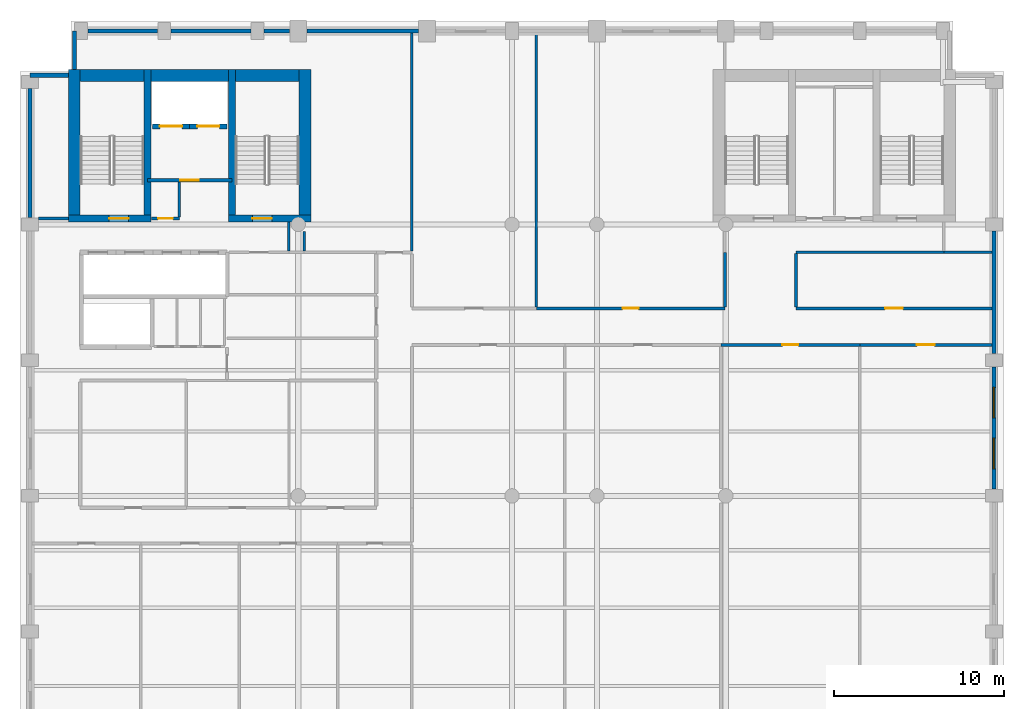
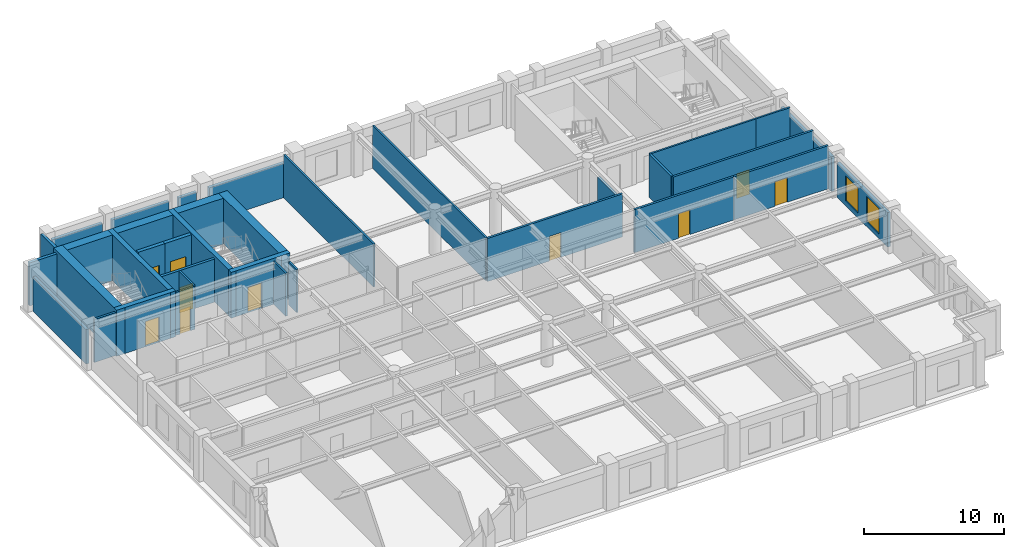
# One storey, part 5 of 8: 34 walls, 10 doors, 2 windows, 12 openings.
"""IFC4 building model written with IfcOpenShell, lengths in metres."""

from ifc_helpers import new_model, si_unit, direction, frame, frame_2d, origin, place, context, subcontext, project, spatial, rectangle, extrude, material, layer, layer_set, type_object, element, fill, save


model = new_model("IFC4")

# Units and contexts
model_context = context("Model", 3, precision=1e-05, world=origin(), true_north=direction((0.0, 1.0)))
body_context = subcontext(model_context, "Body", "Model", "MODEL_VIEW")
ifc_project = project(units=[si_unit("LENGTHUNIT", "METRE"), si_unit("AREAUNIT", "SQUARE_METRE"), si_unit("VOLUMEUNIT", "CUBIC_METRE"), si_unit("PLANEANGLEUNIT", "RADIAN"), si_unit("MASSUNIT", "GRAM", prefix="KILO")], contexts=[model_context])

# Site, building, storey
site_placement = place(None, origin())
site = spatial("IfcSite", under=ifc_project, at=site_placement, CompositionType="ELEMENT")
building_placement = place(site_placement, origin())
building = spatial("IfcBuilding", under=site, at=building_placement, Name="Sulina Concourse Tower", CompositionType="ELEMENT")
storey_placement = place(building_placement, frame((0.0, 0.0, 256.60009765625)))
storey = spatial("IfcBuildingStorey", under=building, at=storey_placement, Name="L62", CompositionType="ELEMENT", Elevation=256.60009765625)

# Wall, opening, door
ifc_material_1 = material(Name="Concrete C50/60", Category="concrete")
ifc_layer_1 = layer(ifc_material_1, 0.300048828125)
ifc_layer_set_1 = layer_set([ifc_layer_1], Name="Concrete C50/60")
wall_type_1 = type_object("IfcWallType", Name="Core Lift Hoistway Wall 300mm", PredefinedType="SOLIDWALL", material=ifc_layer_set_1)
wall_1_placement = place(storey_placement, frame((10.0, 39.780029296875, 0.0), z_axis=(0.0, 0.0, 1.0), x_axis=(-1.0, 0.0, 0.0)))
wall_1 = element("IfcWall", 1, at=wall_1_placement, inside=storey, type_object=wall_type_1, Name="L62 hoistway enclosure wall FFL-1", PredefinedType="SOLIDWALL", context=body_context, shape_type="SweptSolid", body=[
    extrude(rectangle(XDim=2.199951171875, YDim=0.300048828125, at=frame_2d((1.10009765625, 0.0))), origin(), (0.0, 0.0, 1.0), 4.0),
])
opening_1_placement = place(wall_1_placement, frame((0.449951171875, 0.0, 0.0)))
opening_1 = element("IfcOpeningElement", 2, at=opening_1_placement, cuts=wall_1, Name="Opening LD-02", PredefinedType="OPENING", context=body_context, shape_type="SweptSolid", body=[
    extrude(rectangle(XDim=1.300048828125, YDim=2.25, at=frame_2d((0.64990234375, 1.125))), frame((0.0, 0.159912109375, 0.0), z_axis=(0.0, -1.0, 0.0), x_axis=(1.0, 0.0, 0.0)), (0.0, 0.0, 1.0), 0.320068359375),
])
ifc_material_2 = material(Name="Stainless steel lift landing door", Category="steel")
ifc_layer_2 = layer(ifc_material_2, 0.050048828125)
ifc_layer_set_2 = layer_set([ifc_layer_2], Name="Stainless steel lift landing door")
door_type_1 = type_object("IfcDoorType", Name="Firefighting Lift Sliding Landing Door 1300x2250", OperationType="SLIDING_TO_RIGHT", PredefinedType="DOOR", material=ifc_layer_set_2)
door_1_placement = place(opening_1_placement, origin())
door_1 = element("IfcDoor", 3, at=door_1_placement, inside=storey, type_object=door_type_1, Name="L62 lift landing sliding door FFL-1", OperationType="SLIDING_TO_LEFT", OverallHeight=2.25, OverallWidth=1.300048828125, PredefinedType="DOOR", context=body_context, shape_type="SweptSolid", body=[
    extrude(rectangle(XDim=1.300048828125, YDim=2.25, at=frame_2d((0.64990234375, 1.125))), frame((0.0, 0.02490234375, 0.0), z_axis=(0.0, -1.0, 0.0), x_axis=(1.0, 0.0, 0.0)), (0.0, 0.0, 1.0), 0.050048828125),
])
fill(opening_1, door_1)

wall_2_placement = place(storey_placement, frame((12.199951171875, 39.780029296875, 0.0), z_axis=(0.0, 0.0, 1.0), x_axis=(-1.0, 0.0, 0.0)))
wall_2 = element("IfcWall", 4, at=wall_2_placement, inside=storey, type_object=wall_type_1, Name="L62 hoistway enclosure wall FFL-2", PredefinedType="SOLIDWALL", context=body_context, shape_type="SweptSolid", body=[
    extrude(rectangle(XDim=2.199951171875, YDim=0.300048828125, at=frame_2d((1.10009765625, 0.0))), origin(), (0.0, 0.0, 1.0), 4.0),
])
opening_2_placement = place(wall_2_placement, frame((0.449951171875, 0.0, 0.0)))
opening_2 = element("IfcOpeningElement", 5, at=opening_2_placement, cuts=wall_2, Name="Opening LD-02", PredefinedType="OPENING", context=body_context, shape_type="SweptSolid", body=[
    extrude(rectangle(XDim=1.300048828125, YDim=2.25, at=frame_2d((0.64990234375, 1.125))), frame((0.0, 0.159912109375, 0.0), z_axis=(0.0, -1.0, 0.0), x_axis=(1.0, 0.0, 0.0)), (0.0, 0.0, 1.0), 0.320068359375),
])
door_2_placement = place(opening_2_placement, origin())
door_2 = element("IfcDoor", 6, at=door_2_placement, inside=storey, type_object=door_type_1, Name="L62 lift landing sliding door FFL-2", OperationType="SLIDING_TO_RIGHT", OverallHeight=2.25, OverallWidth=1.300048828125, PredefinedType="DOOR", context=body_context, shape_type="SweptSolid", body=[
    extrude(rectangle(XDim=1.300048828125, YDim=2.25, at=frame_2d((0.64990234375, 1.125))), frame((0.0, 0.02490234375, 0.0), z_axis=(0.0, -1.0, 0.0), x_axis=(1.0, 0.0, 0.0)), (0.0, 0.0, 1.0), 0.050048828125),
])
fill(opening_2, door_2)

# Walls
ifc_material_3 = material(Name="Precast concrete C50/60", Category="concrete")
ifc_layer_3 = layer(ifc_material_3, 0.239990234375)
ifc_layer_set_3 = layer_set([ifc_layer_3], Name="Precast concrete C50/60")
wall_type_2 = type_object("IfcWallType", Name="Crown Precast Masonry-Frame Facade Wall 240mm", PredefinedType="SOLIDWALL", material=ifc_layer_set_3)
wall_3_placement = place(storey_placement, frame((0.60009765625, 34.39501953125, 0.0), z_axis=(0.0, 0.0, 1.0), x_axis=(0.0, 1.0, 0.0)))
element("IfcWall", 7, at=wall_3_placement, inside=storey, type_object=wall_type_2, Name="L62 exterior precast wall W5", PredefinedType="SOLIDWALL", context=body_context, shape_type="SweptSolid", body=[
    extrude(rectangle(XDim=7.60986328125, YDim=0.239990234375, at=frame_2d((3.804931640625, 0.0))), origin(), (0.0, 0.0, 1.0), 3.0),
])
wall_4_placement = place(storey_placement, frame((3.9951171875, 45.39990234375, 0.0), z_axis=(0.0, 0.0, 1.0), x_axis=(1.0, 0.0, 0.0)))
element("IfcWall", 8, at=wall_4_placement, inside=storey, type_object=wall_type_2, Name="L62 exterior precast wall N1", PredefinedType="SOLIDWALL", context=body_context, shape_type="SweptSolid", body=[
    extrude(rectangle(XDim=4.10986328125, YDim=0.239990234375, at=frame_2d((2.054931640625, 0.0))), origin(), (0.0, 0.0, 1.0), 3.0),
])
wall_5_placement = place(storey_placement, frame((8.89501953125, 45.39990234375, 0.0), z_axis=(0.0, 0.0, 1.0), x_axis=(1.0, 0.0, 0.0)))
element("IfcWall", 9, at=wall_5_placement, inside=storey, type_object=wall_type_2, Name="L62 exterior precast wall N2", PredefinedType="SOLIDWALL", context=body_context, shape_type="SweptSolid", body=[
    extrude(rectangle(XDim=4.7099609375, YDim=0.239990234375, at=frame_2d((2.35498046875, 0.0))), origin(), (0.0, 0.0, 1.0), 3.0),
])
wall_6_placement = place(storey_placement, frame((14.39501953125, 45.39990234375, 0.0), z_axis=(0.0, 0.0, 1.0), x_axis=(1.0, 0.0, 0.0)))
element("IfcWall", 10, at=wall_6_placement, inside=storey, type_object=wall_type_2, Name="L62 exterior precast wall N3", PredefinedType="SOLIDWALL", context=body_context, shape_type="SweptSolid", body=[
    extrude(rectangle(XDim=1.48486328125, YDim=0.239990234375, at=frame_2d((0.742431640625, 0.0))), origin(), (0.0, 0.0, 1.0), 3.0),
])
wall_7_placement = place(storey_placement, frame((16.919921875, 45.39990234375, 0.0), z_axis=(0.0, 0.0, 1.0), x_axis=(1.0, 0.0, 0.0)))
element("IfcWall", 11, at=wall_7_placement, inside=storey, type_object=wall_type_2, Name="L62 exterior precast wall N4", PredefinedType="SOLIDWALL", context=body_context, shape_type="SweptSolid", body=[
    extrude(rectangle(XDim=6.56005859375, YDim=0.239990234375, at=frame_2d((3.280029296875, 0.0))), origin(), (0.0, 0.0, 1.0), 3.0),
])

# Wall, openings, windows
wall_8_placement = place(storey_placement, frame((57.39990234375, 25.60498046875, 0.0), z_axis=(0.0, 0.0, 1.0), x_axis=(0.0, -1.0, 0.0)))
wall_8 = element("IfcWall", 12, at=wall_8_placement, inside=storey, type_object=wall_type_2, Name="L62 exterior precast wall E3", PredefinedType="SOLIDWALL", context=body_context, shape_type="SweptSolid", body=[
    extrude(rectangle(XDim=7.2099609375, YDim=0.239990234375, at=frame_2d((3.60498046875, 0.0))), origin(), (0.0, 0.0, 1.0), 3.0),
])
opening_3_placement = place(wall_8_placement, frame((1.203369140625, 0.0, 0.419921875)))
opening_3 = element("IfcOpeningElement", 13, at=opening_3_placement, cuts=wall_8, Name="Opening WN-25", PredefinedType="OPENING", context=body_context, shape_type="SweptSolid", body=[
    extrude(rectangle(XDim=1.800048828125, YDim=2.199951171875, at=frame_2d((0.89990234375, 1.10009765625))), frame((0.0, 0.1298828125, 0.0), z_axis=(0.0, -1.0, 0.0), x_axis=(1.0, 0.0, 0.0)), (0.0, 0.0, 1.0), 0.260009765625),
])
opening_4_placement = place(wall_8_placement, frame((4.206787109375, 0.0, 0.419921875)))
opening_4 = element("IfcOpeningElement", 14, at=opening_4_placement, cuts=wall_8, Name="Opening WN-25", PredefinedType="OPENING", context=body_context, shape_type="SweptSolid", body=[
    extrude(rectangle(XDim=1.800048828125, YDim=2.199951171875, at=frame_2d((0.89990234375, 1.10009765625))), frame((0.0, 0.1298828125, 0.0), z_axis=(0.0, -1.0, 0.0), x_axis=(1.0, 0.0, 0.0)), (0.0, 0.0, 1.0), 0.260009765625),
])
ifc_material_4 = material(Name="Low-E solar double glazing in bronze aluminium", Category="aluminium")
window_type = type_object("IfcWindowType", Name="Punched Masonry-Frame Window 1800x2200", PartitioningType="SINGLE_PANEL", PredefinedType="WINDOW", material=ifc_material_4)
window_1_placement = place(opening_3_placement, origin())
window_1 = element("IfcWindow", 15, at=window_1_placement, inside=storey, type_object=window_type, Name="L62 punched window E3-1", OverallHeight=2.199951171875, OverallWidth=1.800048828125, PartitioningType="SINGLE_PANEL", PredefinedType="WINDOW", context=body_context, shape_type="SweptSolid", body=[
    extrude(rectangle(XDim=1.800048828125, YDim=2.199951171875, at=frame_2d((0.89990234375, 1.10009765625))), frame((0.0, 0.030029296875, 0.0), z_axis=(0.0, -1.0, 0.0), x_axis=(1.0, 0.0, 0.0)), (0.0, 0.0, 1.0), 0.06005859375),
])
fill(opening_3, window_1)
window_2_placement = place(opening_4_placement, origin())
window_2 = element("IfcWindow", 16, at=window_2_placement, inside=storey, type_object=window_type, Name="L62 punched window E3-2", OverallHeight=2.199951171875, OverallWidth=1.800048828125, PartitioningType="SINGLE_PANEL", PredefinedType="WINDOW", context=body_context, shape_type="SweptSolid", body=[
    extrude(rectangle(XDim=1.800048828125, YDim=2.199951171875, at=frame_2d((0.89990234375, 1.10009765625))), frame((0.0, 0.030029296875, 0.0), z_axis=(0.0, -1.0, 0.0), x_axis=(1.0, 0.0, 0.0)), (0.0, 0.0, 1.0), 0.06005859375),
])
fill(opening_4, window_2)

# Walls
wall_9_placement = place(storey_placement, frame((57.39990234375, 33.60498046875, 0.0), z_axis=(0.0, 0.0, 1.0), x_axis=(0.0, -1.0, 0.0)))
element("IfcWall", 17, at=wall_9_placement, inside=storey, type_object=wall_type_2, Name="L62 exterior precast wall E4", PredefinedType="SOLIDWALL", context=body_context, shape_type="SweptSolid", body=[
    extrude(rectangle(XDim=7.2099609375, YDim=0.239990234375, at=frame_2d((3.60498046875, 0.0))), origin(), (0.0, 0.0, 1.0), 3.0),
])
wall_10_placement = place(storey_placement, frame((0.60009765625, 42.794921875, 0.0), z_axis=(0.0, 0.0, 1.0), x_axis=(1.0, 0.0, 0.0)))
element("IfcWall", 18, at=wall_10_placement, inside=storey, type_object=wall_type_2, Name="L62 exterior precast wall CNW1", PredefinedType="SOLIDWALL", context=body_context, shape_type="SweptSolid", body=[
    extrude(rectangle(XDim=2.244873046875, YDim=0.239990234375, at=frame_2d((1.12255859375, 0.0))), origin(), (0.0, 0.0, 1.0), 3.75),
])
wall_11_placement = place(storey_placement, frame((3.205078125, 43.135009765625, 0.0), z_axis=(0.0, 0.0, 1.0), x_axis=(0.0, 1.0, 0.0)))
element("IfcWall", 19, at=wall_11_placement, inside=storey, type_object=wall_type_2, Name="L62 exterior precast wall CNW2", PredefinedType="SOLIDWALL", context=body_context, shape_type="SweptSolid", body=[
    extrude(rectangle(XDim=2.264892578125, YDim=0.239990234375, at=frame_2d((1.13232421875, 0.0))), origin(), (0.0, 0.0, 1.0), 3.75),
])

# Wall, opening, door
ifc_material_5 = material(Name="Gypsum board on steel stud", Category="steel")
ifc_layer_4 = layer(ifc_material_5, 0.219970703125)
ifc_layer_set_4 = layer_set([ifc_layer_4], Name="Gypsum board on steel stud")
wall_type_3 = type_object("IfcWallType", Name="Fire-Rated Lobby & Compartment Wall 220mm", PredefinedType="PARTITIONING", material=ifc_layer_set_4)
wall_12_placement = place(storey_placement, frame((7.510009765625, 36.60009765625, 0.0), z_axis=(0.0, 0.0, 1.0), x_axis=(1.0, 0.0, 0.0)))
wall_12 = element("IfcWall", 20, at=wall_12_placement, inside=storey, type_object=wall_type_3, Name="L62 firefighting lobby south fire wall", PredefinedType="PARTITIONING", context=body_context, shape_type="SweptSolid", body=[
    extrude(rectangle(XDim=4.97998046875, YDim=0.219970703125, at=frame_2d((2.489990234375, 0.0))), origin(), (0.0, 0.0, 1.0), 3.75),
])
opening_5_placement = place(wall_12_placement, frame((1.93994140625, 0.0, 0.0)))
opening_5 = element("IfcOpeningElement", 21, at=opening_5_placement, cuts=wall_12, Name="Opening DR-47", PredefinedType="OPENING", context=body_context, shape_type="SweptSolid", body=[
    extrude(rectangle(XDim=1.10009765625, YDim=2.199951171875, at=frame_2d((0.550048828125, 1.10009765625))), frame((0.0, 0.119873046875, 0.0), z_axis=(0.0, -1.0, 0.0), x_axis=(1.0, 0.0, 0.0)), (0.0, 0.0, 1.0), 0.239990234375),
])
ifc_material_6 = material(Name="Galvanised steel acoustic fire leaf", Category="steel")
ifc_layer_5 = layer(ifc_material_6, 0.054931640625)
ifc_layer_set_5 = layer_set([ifc_layer_5], Name="Galvanised steel acoustic fire leaf")
door_type_2 = type_object("IfcDoorType", Name="Firefighting Lobby Fire Door 1100x2200", OperationType="NOTDEFINED", PredefinedType="DOOR", material=ifc_layer_set_5)
door_3_placement = place(opening_5_placement, origin())
door_3 = element("IfcDoor", 22, at=door_3_placement, inside=storey, type_object=door_type_2, Name="L62 firefighting lobby fire door", OperationType="SINGLE_SWING_LEFT", OverallHeight=2.199951171875, OverallWidth=1.10009765625, PredefinedType="DOOR", context=body_context, shape_type="SweptSolid", body=[
    extrude(rectangle(XDim=1.10009765625, YDim=2.199951171875, at=frame_2d((0.550048828125, 1.10009765625))), frame((0.0, 0.02490234375, 0.0), z_axis=(0.0, -1.0, 0.0), x_axis=(1.0, 0.0, 0.0)), (0.0, 0.0, 1.0), 0.050048828125),
])
fill(opening_5, door_3)

# Walls
ifc_material_7 = material(Name="Gypsum board on steel stud", Category="steel")
ifc_layer_6 = layer(ifc_material_7, 0.14990234375)
ifc_layer_set_6 = layer_set([ifc_layer_6], Name="Gypsum board on steel stud")
wall_type_4 = type_object("IfcWallType", Name="Inter-Tenancy Acoustic Partition 150mm", PredefinedType="PARTITIONING", material=ifc_layer_set_6)
wall_13_placement = place(storey_placement, frame((45.75, 32.35009765625, 0.0), z_axis=(0.0, 0.0, 1.0), x_axis=(1.0, 0.0, 0.0)))
element("IfcWall", 23, at=wall_13_placement, inside=storey, type_object=wall_type_4, Name="L62 interior partition 028", PredefinedType="PARTITIONING", context=body_context, shape_type="SweptSolid", body=[
    extrude(rectangle(XDim=8.699951171875, YDim=0.14990234375, at=frame_2d((4.35009765625, 0.0))), origin(), (0.0, 0.0, 1.0), 3.75),
])
wall_14_placement = place(storey_placement, frame((54.449951171875, 32.35009765625, 0.0), z_axis=(0.0, 0.0, 1.0), x_axis=(1.0, 0.0, 0.0)))
element("IfcWall", 24, at=wall_14_placement, inside=storey, type_object=wall_type_4, Name="L62 interior partition 029", PredefinedType="PARTITIONING", context=body_context, shape_type="SweptSolid", body=[
    extrude(rectangle(XDim=2.830078125, YDim=0.14990234375, at=frame_2d((1.4150390625, 0.0))), origin(), (0.0, 0.0, 1.0), 3.75),
])

# Wall, opening, door
wall_15_placement = place(storey_placement, frame((7.75, 34.35009765625, 0.0), z_axis=(0.0, 0.0, 1.0), x_axis=(1.0, 0.0, 0.0)))
wall_15 = element("IfcWall", 25, at=wall_15_placement, inside=storey, type_object=wall_type_4, Name="L62 interior partition 031", PredefinedType="PARTITIONING", context=body_context, shape_type="SweptSolid", body=[
    extrude(rectangle(XDim=1.64990234375, YDim=0.14990234375, at=frame_2d((0.824951171875, 0.0))), origin(), (0.0, 0.0, 1.0), 3.75),
])
opening_6_placement = place(wall_15_placement, frame((0.385009765625, 0.0, 0.0)))
opening_6 = element("IfcOpeningElement", 26, at=opening_6_placement, cuts=wall_15, Name="Opening DR-38", PredefinedType="OPENING", context=body_context, shape_type="SweptSolid", body=[
    extrude(rectangle(XDim=0.8798828125, YDim=2.10009765625, at=frame_2d((0.43994140625, 1.050048828125))), frame((0.0, 0.0849609375, 0.0), z_axis=(0.0, -1.0, 0.0), x_axis=(1.0, 0.0, 0.0)), (0.0, 0.0, 1.0), 0.169921875),
])
ifc_material_8 = material(Name="Galvanised steel acoustic fire leaf", Category="steel")
ifc_layer_7 = layer(ifc_material_8, 0.050048828125)
ifc_layer_set_7 = layer_set([ifc_layer_7], Name="Galvanised steel acoustic fire leaf")
door_type_3 = type_object("IfcDoorType", Name="Service Riser Fire Door 880x2100", OperationType="NOTDEFINED", PredefinedType="DOOR", material=ifc_layer_set_7)
door_4_placement = place(opening_6_placement, origin())
door_4 = element("IfcDoor", 27, at=door_4_placement, inside=storey, type_object=door_type_3, Name="L62 interior door L62-CLN-N", OperationType="SINGLE_SWING_RIGHT", OverallHeight=2.10009765625, OverallWidth=0.8798828125, PredefinedType="DOOR", context=body_context, shape_type="SweptSolid", body=[
    extrude(rectangle(XDim=0.8798828125, YDim=2.10009765625, at=frame_2d((0.43994140625, 1.050048828125))), frame((0.0, 0.02490234375, 0.0), z_axis=(0.0, -1.0, 0.0), x_axis=(1.0, 0.0, 0.0)), (0.0, 0.0, 1.0), 0.050048828125),
])
fill(opening_6, door_4)

# Walls
wall_16_placement = place(storey_placement, frame((9.39990234375, 34.425048828125, 0.0), z_axis=(0.0, 0.0, 1.0), x_axis=(0.0, 1.0, 0.0)))
element("IfcWall", 28, at=wall_16_placement, inside=storey, type_object=wall_type_4, Name="L62 interior partition 037", PredefinedType="PARTITIONING", context=body_context, shape_type="SweptSolid", body=[
    extrude(rectangle(XDim=2.06494140625, YDim=0.14990234375, at=frame_2d((1.032470703125, 0.0))), origin(), (0.0, 0.0, 1.0), 3.75),
])
wall_17_placement = place(storey_placement, frame((15.85009765625, 32.425048828125, 0.0), z_axis=(0.0, 0.0, 1.0), x_axis=(0.0, 1.0, 0.0)))
element("IfcWall", 29, at=wall_17_placement, inside=storey, type_object=wall_type_4, Name="L62 interior partition 044", PredefinedType="PARTITIONING", context=body_context, shape_type="SweptSolid", body=[
    extrude(rectangle(XDim=1.724853515625, YDim=0.14990234375, at=frame_2d((0.8623046875, 0.0))), origin(), (0.0, 0.0, 1.0), 3.75),
])
wall_18_placement = place(storey_placement, frame((16.75, 32.425048828125, 0.0), z_axis=(0.0, 0.0, 1.0), x_axis=(0.0, 1.0, 0.0)))
element("IfcWall", 30, at=wall_18_placement, inside=storey, type_object=wall_type_4, Name="L62 interior partition 045", PredefinedType="PARTITIONING", context=body_context, shape_type="SweptSolid", body=[
    extrude(rectangle(XDim=1.14990234375, YDim=0.14990234375, at=frame_2d((0.574951171875, 0.0))), origin(), (0.0, 0.0, 1.0), 3.75),
])
wall_19_placement = place(storey_placement, frame((23.10009765625, 32.43994140625, 0.0), z_axis=(0.0, 0.0, 1.0), x_axis=(0.0, 1.0, 0.0)))
element("IfcWall", 31, at=wall_19_placement, inside=storey, type_object=wall_type_4, Name="L62 interior partition 055", PredefinedType="PARTITIONING", context=body_context, shape_type="SweptSolid", body=[
    extrude(rectangle(XDim=12.840087890625, YDim=0.14990234375, at=frame_2d((6.419921875, 0.0))), origin(), (0.0, 0.0, 1.0), 3.75),
])
wall_20_placement = place(storey_placement, frame((30.429931640625, 29.139892578125, 0.0), z_axis=(0.0, 0.0, 1.0), x_axis=(0.0, 1.0, 0.0)))
element("IfcWall", 32, at=wall_20_placement, inside=storey, type_object=wall_type_4, Name="L62 interior partition 056", PredefinedType="PARTITIONING", context=body_context, shape_type="SweptSolid", body=[
    extrude(rectangle(XDim=16.14013671875, YDim=0.14990234375, at=frame_2d((8.070068359375, 0.0))), origin(), (0.0, 0.0, 1.0), 3.75),
])

# Wall, opening, door
ifc_material_9 = material(Name="Gypsum board on steel stud", Category="steel")
ifc_layer_8 = layer(ifc_material_9, 0.179931640625)
ifc_layer_set_8 = layer_set([ifc_layer_8], Name="Gypsum board on steel stud")
wall_type_5 = type_object("IfcWallType", Name="Protected Corridor & Riser Partition 180mm", PredefinedType="PARTITIONING", material=ifc_layer_set_8)
wall_21_placement = place(storey_placement, frame((41.320068359375, 26.89990234375, 0.0), z_axis=(0.0, 0.0, 1.0), x_axis=(1.0, 0.0, 0.0)))
wall_21 = element("IfcWall", 33, at=wall_21_placement, inside=storey, type_object=wall_type_5, Name="L62 interior partition 017", PredefinedType="PARTITIONING", context=body_context, shape_type="SweptSolid", body=[
    extrude(rectangle(XDim=8.179931640625, YDim=0.179931640625, at=frame_2d((4.08984375, 0.0))), origin(), (0.0, 0.0, 1.0), 3.75),
])
opening_7_placement = place(wall_21_placement, frame((3.614990234375, 0.0, 0.0)))
opening_7 = element("IfcOpeningElement", 34, at=opening_7_placement, cuts=wall_21, Name="Opening DR-19", PredefinedType="OPENING", context=body_context, shape_type="SweptSolid", body=[
    extrude(rectangle(XDim=0.949951171875, YDim=2.14990234375, at=frame_2d((0.47509765625, 1.074951171875))), frame((0.0, 0.099853515625, 0.0), z_axis=(0.0, -1.0, 0.0), x_axis=(1.0, 0.0, 0.0)), (0.0, 0.0, 1.0), 0.199951171875),
])
ifc_material_10 = material(Name="Oak-veneered acoustic timber leaf", Category="wood")
ifc_layer_9 = layer(ifc_material_10, 0.050048828125)
ifc_layer_set_9 = layer_set([ifc_layer_9], Name="Oak-veneered acoustic timber leaf")
door_type_4 = type_object("IfcDoorType", Name="Cellular Office & Meeting Door 950x2150", OperationType="NOTDEFINED", PredefinedType="DOOR", material=ifc_layer_set_9)
door_5_placement = place(opening_7_placement, origin())
door_5 = element("IfcDoor", 35, at=door_5_placement, inside=storey, type_object=door_type_4, Name="L62 interior door L62-S07", OperationType="SINGLE_SWING_LEFT", OverallHeight=2.14990234375, OverallWidth=0.949951171875, PredefinedType="DOOR", context=body_context, shape_type="SweptSolid", body=[
    extrude(rectangle(XDim=0.949951171875, YDim=2.14990234375, at=frame_2d((0.47509765625, 1.074951171875))), frame((0.0, 0.02490234375, 0.0), z_axis=(0.0, -1.0, 0.0), x_axis=(1.0, 0.0, 0.0)), (0.0, 0.0, 1.0), 0.050048828125),
])
fill(opening_7, door_5)

wall_22_placement = place(storey_placement, frame((49.5, 26.89990234375, 0.0), z_axis=(0.0, 0.0, 1.0), x_axis=(1.0, 0.0, 0.0)))
wall_22 = element("IfcWall", 36, at=wall_22_placement, inside=storey, type_object=wall_type_5, Name="L62 interior partition 018", PredefinedType="PARTITIONING", context=body_context, shape_type="SweptSolid", body=[
    extrude(rectangle(XDim=7.780029296875, YDim=0.179931640625, at=frame_2d((3.89013671875, 0.0))), origin(), (0.0, 0.0, 1.0), 3.75),
])
opening_8_placement = place(wall_22_placement, frame((3.364990234375, 0.0, 0.0)))
opening_8 = element("IfcOpeningElement", 37, at=opening_8_placement, cuts=wall_22, Name="Opening DR-37", PredefinedType="OPENING", context=body_context, shape_type="SweptSolid", body=[
    extrude(rectangle(XDim=1.050048828125, YDim=2.14990234375, at=frame_2d((0.52490234375, 1.074951171875))), frame((0.0, 0.099853515625, 0.0), z_axis=(0.0, -1.0, 0.0), x_axis=(1.0, 0.0, 0.0)), (0.0, 0.0, 1.0), 0.199951171875),
])
ifc_material_11 = material(Name="Oak-veneered fire door leaf")
ifc_layer_10 = layer(ifc_material_11, 0.050048828125)
ifc_layer_set_10 = layer_set([ifc_layer_10], Name="Oak-veneered fire door leaf")
door_type_5 = type_object("IfcDoorType", Name="Tenant Suite Entrance Fire Door 1050x2150", OperationType="NOTDEFINED", PredefinedType="DOOR", material=ifc_layer_set_10)
door_6_placement = place(opening_8_placement, origin())
door_6 = element("IfcDoor", 38, at=door_6_placement, inside=storey, type_object=door_type_5, Name="L62 interior door L62-S08", OperationType="SINGLE_SWING_RIGHT", OverallHeight=2.14990234375, OverallWidth=1.050048828125, PredefinedType="DOOR", context=body_context, shape_type="SweptSolid", body=[
    extrude(rectangle(XDim=1.050048828125, YDim=2.14990234375, at=frame_2d((0.52490234375, 1.074951171875))), frame((0.0, 0.02490234375, 0.0), z_axis=(0.0, -1.0, 0.0), x_axis=(1.0, 0.0, 0.0)), (0.0, 0.0, 1.0), 0.050048828125),
])
fill(opening_8, door_6)

wall_23_placement = place(storey_placement, frame((30.429931640625, 29.050048828125, 0.0), z_axis=(0.0, 0.0, 1.0), x_axis=(1.0, 0.0, 0.0)))
wall_23 = element("IfcWall", 39, at=wall_23_placement, inside=storey, type_object=wall_type_5, Name="L62 interior partition 021", PredefinedType="PARTITIONING", context=body_context, shape_type="SweptSolid", body=[
    extrude(rectangle(XDim=11.1201171875, YDim=0.179931640625, at=frame_2d((5.56005859375, 0.0))), origin(), (0.0, 0.0, 1.0), 3.75),
])
opening_9_placement = place(wall_23_placement, frame((5.0849609375, 0.0, 0.0)))
opening_9 = element("IfcOpeningElement", 40, at=opening_9_placement, cuts=wall_23, Name="Opening DR-19", PredefinedType="OPENING", context=body_context, shape_type="SweptSolid", body=[
    extrude(rectangle(XDim=0.949951171875, YDim=2.14990234375, at=frame_2d((0.47509765625, 1.074951171875))), frame((0.0, 0.099853515625, 0.0), z_axis=(0.0, -1.0, 0.0), x_axis=(1.0, 0.0, 0.0)), (0.0, 0.0, 1.0), 0.199951171875),
])
door_7_placement = place(opening_9_placement, origin())
door_7 = element("IfcDoor", 41, at=door_7_placement, inside=storey, type_object=door_type_4, Name="L62 interior door L62-NC2", OperationType="SINGLE_SWING_RIGHT", OverallHeight=2.14990234375, OverallWidth=0.949951171875, PredefinedType="DOOR", context=body_context, shape_type="SweptSolid", body=[
    extrude(rectangle(XDim=0.949951171875, YDim=2.14990234375, at=frame_2d((0.47509765625, 1.074951171875))), frame((0.0, 0.02490234375, 0.0), z_axis=(0.0, -1.0, 0.0), x_axis=(1.0, 0.0, 0.0)), (0.0, 0.0, 1.0), 0.050048828125),
])
fill(opening_9, door_7)

wall_24_placement = place(storey_placement, frame((45.75, 29.050048828125, 0.0), z_axis=(0.0, 0.0, 1.0), x_axis=(1.0, 0.0, 0.0)))
wall_24 = element("IfcWall", 42, at=wall_24_placement, inside=storey, type_object=wall_type_5, Name="L62 interior partition 022", PredefinedType="PARTITIONING", context=body_context, shape_type="SweptSolid", body=[
    extrude(rectangle(XDim=11.530029296875, YDim=0.179931640625, at=frame_2d((5.76513671875, 0.0))), origin(), (0.0, 0.0, 1.0), 3.75),
])
opening_10_placement = place(wall_24_placement, frame((5.239990234375, 0.0, 0.0)))
opening_10 = element("IfcOpeningElement", 43, at=opening_10_placement, cuts=wall_24, Name="Opening DR-37", PredefinedType="OPENING", context=body_context, shape_type="SweptSolid", body=[
    extrude(rectangle(XDim=1.050048828125, YDim=2.14990234375, at=frame_2d((0.52490234375, 1.074951171875))), frame((0.0, 0.099853515625, 0.0), z_axis=(0.0, -1.0, 0.0), x_axis=(1.0, 0.0, 0.0)), (0.0, 0.0, 1.0), 0.199951171875),
])
door_8_placement = place(opening_10_placement, origin())
door_8 = element("IfcDoor", 44, at=door_8_placement, inside=storey, type_object=door_type_5, Name="L62 interior door L62-NE1", OperationType="SINGLE_SWING_LEFT", OverallHeight=2.14990234375, OverallWidth=1.050048828125, PredefinedType="DOOR", context=body_context, shape_type="SweptSolid", body=[
    extrude(rectangle(XDim=1.050048828125, YDim=2.14990234375, at=frame_2d((0.52490234375, 1.074951171875))), frame((0.0, 0.02490234375, 0.0), z_axis=(0.0, -1.0, 0.0), x_axis=(1.0, 0.0, 0.0)), (0.0, 0.0, 1.0), 0.050048828125),
])
fill(opening_10, door_8)

# Walls
wall_25_placement = place(storey_placement, frame((1.10009765625, 34.35009765625, 0.0), z_axis=(0.0, 0.0, 1.0), x_axis=(1.0, 0.0, 0.0)))
element("IfcWall", 45, at=wall_25_placement, inside=storey, type_object=wall_type_5, Name="L62 interior partition 030", PredefinedType="PARTITIONING", context=body_context, shape_type="SweptSolid", body=[
    extrude(rectangle(XDim=1.75, YDim=0.179931640625, at=frame_2d((0.875, 0.0))), origin(), (0.0, 0.0, 1.0), 3.75),
])
wall_26_placement = place(storey_placement, frame((41.550048828125, 29.139892578125, 0.0), z_axis=(0.0, 0.0, 1.0), x_axis=(0.0, 1.0, 0.0)))
element("IfcWall", 46, at=wall_26_placement, inside=storey, type_object=wall_type_5, Name="L62 interior partition 060", PredefinedType="PARTITIONING", context=body_context, shape_type="SweptSolid", body=[
    extrude(rectangle(XDim=3.210205078125, YDim=0.179931640625, at=frame_2d((1.60498046875, 0.0))), origin(), (0.0, 0.0, 1.0), 3.19482421875),
])
wall_27_placement = place(storey_placement, frame((45.75, 29.139892578125, 0.0), z_axis=(0.0, 0.0, 1.0), x_axis=(0.0, 1.0, 0.0)))
element("IfcWall", 47, at=wall_27_placement, inside=storey, type_object=wall_type_5, Name="L62 interior partition 063", PredefinedType="PARTITIONING", context=body_context, shape_type="SweptSolid", body=[
    extrude(rectangle(XDim=3.135009765625, YDim=0.179931640625, at=frame_2d((1.5673828125, 0.0))), origin(), (0.0, 0.0, 1.0), 3.75),
])

# Wall, opening, door
ifc_material_12 = material(Name="Concrete C60/75", Category="concrete")
ifc_layer_11 = layer(ifc_material_12, 0.39990234375)
ifc_layer_set_11 = layer_set([ifc_layer_11], Name="Concrete C60/75")
wall_type_6 = type_object("IfcWallType", Name="Protected Stair Core Shear Wall 400mm", PredefinedType="SHEAR", material=ifc_layer_set_11)
wall_28_placement = place(storey_placement, frame((2.85009765625, 34.35009765625, 0.0), z_axis=(0.0, 0.0, 1.0), x_axis=(1.0, 0.0, 0.0)))
wall_28 = element("IfcWall", 48, at=wall_28_placement, inside=storey, type_object=wall_type_6, Name="L62 west core shear wall CW-WS1", PredefinedType="SHEAR", context=body_context, shape_type="SweptSolid", body=[
    extrude(rectangle(XDim=4.85986328125, YDim=0.39990234375, at=frame_2d((2.429931640625, 0.0))), origin(), (0.0, 0.0, 1.0), 4.0),
])
opening_11_placement = place(wall_28_placement, frame((2.39990234375, 0.0, 0.0)))
opening_11 = element("IfcOpeningElement", 49, at=opening_11_placement, cuts=wall_28, Name="Opening DR-60", PredefinedType="OPENING", context=body_context, shape_type="SweptSolid", body=[
    extrude(rectangle(XDim=1.14990234375, YDim=2.199951171875, at=frame_2d((0.574951171875, 1.10009765625))), frame((0.0, 0.2099609375, 0.0), z_axis=(0.0, -1.0, 0.0), x_axis=(1.0, 0.0, 0.0)), (0.0, 0.0, 1.0), 0.419921875),
])
ifc_material_13 = material(Name="Galvanised steel acoustic fire leaf", Category="steel")
ifc_layer_12 = layer(ifc_material_13, 0.054931640625)
ifc_layer_set_12 = layer_set([ifc_layer_12], Name="Galvanised steel acoustic fire leaf")
door_type_6 = type_object("IfcDoorType", Name="Protected Exit Stair Fire Door 1150x2200", OperationType="NOTDEFINED", PredefinedType="DOOR", material=ifc_layer_set_12)
door_9_placement = place(opening_11_placement, origin())
door_9 = element("IfcDoor", 50, at=door_9_placement, inside=storey, type_object=door_type_6, Name="L62 stair ST-1 lobby fire door", OperationType="SINGLE_SWING_LEFT", OverallHeight=2.199951171875, OverallWidth=1.14990234375, PredefinedType="DOOR", context=body_context, shape_type="SweptSolid", body=[
    extrude(rectangle(XDim=1.14990234375, YDim=2.199951171875, at=frame_2d((0.574951171875, 1.10009765625))), frame((0.0, 0.02490234375, 0.0), z_axis=(0.0, -1.0, 0.0), x_axis=(1.0, 0.0, 0.0)), (0.0, 0.0, 1.0), 0.050048828125),
])
fill(opening_11, door_9)

wall_29_placement = place(storey_placement, frame((12.2900390625, 34.35009765625, 0.0), z_axis=(0.0, 0.0, 1.0), x_axis=(1.0, 0.0, 0.0)))
wall_29 = element("IfcWall", 51, at=wall_29_placement, inside=storey, type_object=wall_type_6, Name="L62 west core shear wall CW-WS2", PredefinedType="SHEAR", context=body_context, shape_type="SweptSolid", body=[
    extrude(rectangle(XDim=4.85986328125, YDim=0.39990234375, at=frame_2d((2.429931640625, 0.0))), origin(), (0.0, 0.0, 1.0), 4.0),
])
opening_12_placement = place(wall_29_placement, frame((1.39990234375, 0.0, 0.0)))
opening_12 = element("IfcOpeningElement", 52, at=opening_12_placement, cuts=wall_29, Name="Opening DR-60", PredefinedType="OPENING", context=body_context, shape_type="SweptSolid", body=[
    extrude(rectangle(XDim=1.14990234375, YDim=2.199951171875, at=frame_2d((0.574951171875, 1.10009765625))), frame((0.0, 0.2099609375, 0.0), z_axis=(0.0, -1.0, 0.0), x_axis=(1.0, 0.0, 0.0)), (0.0, 0.0, 1.0), 0.419921875),
])
door_10_placement = place(opening_12_placement, origin())
door_10 = element("IfcDoor", 53, at=door_10_placement, inside=storey, type_object=door_type_6, Name="L62 stair ST-2 lobby fire door", OperationType="SINGLE_SWING_RIGHT", OverallHeight=2.199951171875, OverallWidth=1.14990234375, PredefinedType="DOOR", context=body_context, shape_type="SweptSolid", body=[
    extrude(rectangle(XDim=1.14990234375, YDim=2.199951171875, at=frame_2d((0.574951171875, 1.10009765625))), frame((0.0, 0.02490234375, 0.0), z_axis=(0.0, -1.0, 0.0), x_axis=(1.0, 0.0, 0.0)), (0.0, 0.0, 1.0), 0.050048828125),
])
fill(opening_12, door_10)

# Walls
for number, where, z_axis, x_axis, name in (
    (54, (7.510009765625, 34.14990234375, 0.0), (0.0, 0.0, 1.0), (0.0, 1.0, 0.0), "L62 west core shear wall SW-ST1"),
    (55, (12.489990234375, 34.14990234375, 0.0), (0.0, 0.0, 1.0), (0.0, 1.0, 0.0), "L62 west core shear wall SW-ST2"),
):
    element("IfcWall", number, at=place(storey_placement, frame(where, z_axis=z_axis, x_axis=x_axis)), inside=storey, type_object=wall_type_6, Name=name, PredefinedType="SHEAR", context=body_context, shape_type="SweptSolid", body=[
        extrude(rectangle(XDim=8.97998046875, YDim=0.39990234375, at=frame_2d((4.489990234375, 0.0))), origin(), (0.0, 0.0, 1.0), 4.0),
    ])
ifc_material_14 = material(Name="Concrete C60/75", Category="concrete")
ifc_layer_13 = layer(ifc_material_14, 0.699951171875)
ifc_layer_set_13 = layer_set([ifc_layer_13], Name="Concrete C60/75")
wall_type_7 = type_object("IfcWallType", Name="Rear Core Shear Wall 700mm", PredefinedType="SHEAR", material=ifc_layer_set_13)
wall_30_placement = place(storey_placement, frame((2.85009765625, 42.780029296875, 0.0), z_axis=(0.0, 0.0, 1.0), x_axis=(1.0, 0.0, 0.0)))
element("IfcWall", 56, at=wall_30_placement, inside=storey, type_object=wall_type_7, Name="L62 west core shear wall CW-WN", PredefinedType="SHEAR", context=body_context, shape_type="SweptSolid", body=[
    extrude(rectangle(XDim=14.2998046875, YDim=0.699951171875, at=frame_2d((7.14990234375, 0.0))), origin(), (0.0, 0.0, 1.0), 4.0),
])
for number, where, z_axis, x_axis, name in (
    (57, (3.199951171875, 34.14990234375, 0.0), (0.0, 0.0, 1.0), (0.0, 1.0, 0.0), "L62 west core shear wall CW-WW"),
    (58, (16.800048828125, 34.14990234375, 0.0), (0.0, 0.0, 1.0), (0.0, 1.0, 0.0), "L62 west core shear wall CW-WE"),
):
    element("IfcWall", number, at=place(storey_placement, frame(where, z_axis=z_axis, x_axis=x_axis)), inside=storey, type_object=wall_type_7, Name=name, PredefinedType="SHEAR", context=body_context, shape_type="SweptSolid", body=[
        extrude(rectangle(XDim=8.97998046875, YDim=0.699951171875, at=frame_2d((4.489990234375, 0.0))), origin(), (0.0, 0.0, 1.0), 4.0),
    ])

save(model, "model.ifc")
